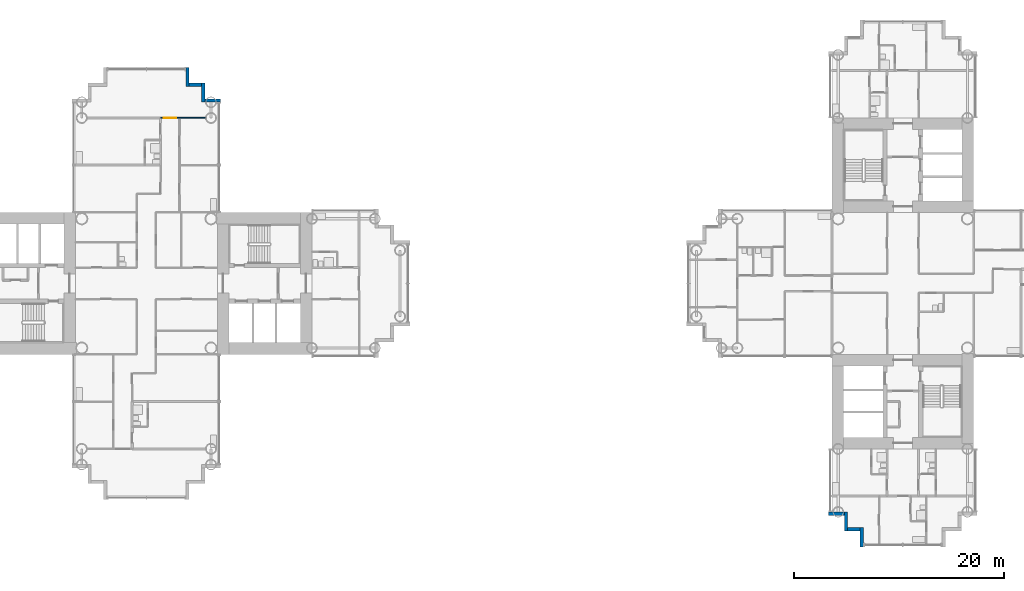
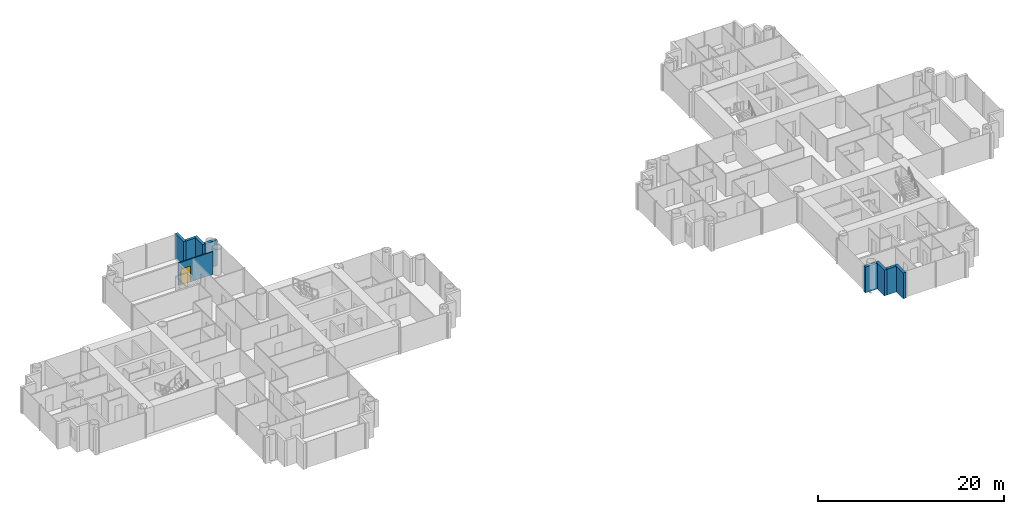
# One storey, part 12 of 22: 9 walls, 1 door, 1 opening.
"""IFC4 building model written with IfcOpenShell, lengths in metres."""

import ifcopenshell
import ifcopenshell.guid

model = None  # the IFC model being written
_history = None  # IfcOwnerHistory: only IFC2X3 demands one
_inside = {}  # id of a spatial element -> (the spatial element, [elements in it])
_under = {}  # id of a project, library or spatial element -> (it, [spatial elements below it])
_declared = {}  # id of a project -> (the project, [libraries it declares])
_typed = {}  # id of a type object -> (the type object, [elements of that type])
_made_of = {}  # id of a material, layer set ... -> (it, [elements and type objects made of it])


def new_model(schema):
    """Start an empty IFC model of exactly this schema.

    Asked for "IFC4X3", IfcOpenShell would pick the latest addendum, in which some entities
    have other attributes; the version numbers below select the first issue.
    IFC2X3 requires an IfcOwnerHistory on every rooted entity: one is made here for all.
    """
    global model, _history
    if schema == "IFC4X3":
        model = ifcopenshell.file(schema_version=(4, 3, 0, 0))
    else:
        model = ifcopenshell.file(schema=schema)
    _inside.clear()
    _under.clear()
    _declared.clear()
    _typed.clear()
    _made_of.clear()
    _history = None
    if model.schema == "IFC2X3":
        org = make("IfcOrganization", Name="unknown")
        user = make(
            "IfcPersonAndOrganization",
            ThePerson=make("IfcPerson", FamilyName="unknown"),
            TheOrganization=org,
        )
        app = make(
            "IfcApplication",
            ApplicationDeveloper=org,
            Version="unknown",
            ApplicationFullName="unknown",
            ApplicationIdentifier="unknown",
        )
        _history = make(
            "IfcOwnerHistory",
            OwningUser=user,
            OwningApplication=app,
            ChangeAction="ADDED",
            CreationDate=0,
        )
    return model


def make(cls, **values):
    """One entity of the class cls with the attributes given. An attribute that is None is left unset."""
    return model.create_entity(
        cls, **{name: value for name, value in values.items() if value is not None}
    )


def rooted(cls, **values):
    """An entity with a GlobalId (a new one), such as an element, a storey or a relation."""
    return make(cls, GlobalId=ifcopenshell.guid.new(), OwnerHistory=_history, **values)


def si_unit(unit_type, name, prefix=None):
    """IfcSIUnit, for example si_unit("LENGTHUNIT", "METRE", prefix="MILLI")."""
    return make("IfcSIUnit", UnitType=unit_type, Prefix=prefix, Name=name)


def assignment(units):
    """IfcUnitAssignment: the units of a project."""
    return None if units is None else make("IfcUnitAssignment", Units=units)


def point(xyz):
    """IfcCartesianPoint."""
    return None if xyz is None else make("IfcCartesianPoint", Coordinates=xyz)


def direction(xyz):
    """IfcDirection."""
    return None if xyz is None else make("IfcDirection", DirectionRatios=xyz)


def frame(location, z_axis=None, x_axis=None):
    """IfcAxis2Placement3D, a coordinate frame: its origin and axes. An axis left out is left unset."""
    return make(
        "IfcAxis2Placement3D",
        Location=point(location),
        Axis=direction(z_axis),
        RefDirection=direction(x_axis),
    )


def frame_2d(location, x_axis=None):
    """IfcAxis2Placement2D, a coordinate frame in the plane: its origin and x axis."""
    return make(
        "IfcAxis2Placement2D", Location=point(location), RefDirection=direction(x_axis)
    )


def origin():
    """The frame at (0, 0, 0) with its axes left unset."""
    return frame((0.0, 0.0, 0.0))


def place(relative_to, where):
    """IfcLocalPlacement: puts the frame where relative to a parent placement (None: the world)."""
    return make(
        "IfcLocalPlacement", PlacementRelTo=relative_to, RelativePlacement=where
    )


def context(
    kind, dimensions, precision=None, world=None, true_north=None, identifier=None
):
    """IfcGeometricRepresentationContext, for example the 3D "Model" context."""
    return make(
        "IfcGeometricRepresentationContext",
        ContextIdentifier=identifier,
        ContextType=kind,
        CoordinateSpaceDimension=dimensions,
        Precision=precision,
        WorldCoordinateSystem=world,
        TrueNorth=true_north,
    )


def subcontext(parent, identifier, kind, view, scale=None):
    """IfcGeometricRepresentationSubContext, for example "Body" below "Model"."""
    return make(
        "IfcGeometricRepresentationSubContext",
        ContextIdentifier=identifier,
        ContextType=kind,
        ParentContext=parent,
        TargetScale=scale,
        TargetView=view,
    )


def project(units=None, contexts=None):
    """IfcProject with its units and contexts."""
    return rooted(
        "IfcProject",
        Name="project",
        RepresentationContexts=contexts,
        UnitsInContext=assignment(units),
    )


def spatial(cls, under=None, at=None, **own):
    """A site, building, storey or space (cls), placed at a placement, below another one or the project."""
    s = rooted(cls, ObjectPlacement=at, **own)
    if under is not None:
        _under.setdefault(under.id(), (under, []))[1].append(s)
    return s


def profile(cls, at=None, kind="AREA", **sizes):
    """A parametric profile (cls). Its sizes go by their IFC names, for example OverallWidth=200.0."""
    return make(cls, ProfileType=kind, Position=at, **sizes)


def rectangle(**sizes):
    """IfcRectangleProfileDef."""
    return profile("IfcRectangleProfileDef", **sizes)


def extrude(swept, where, along, depth):
    """IfcExtrudedAreaSolid: the profile swept, set in the frame where, extruded along a direction by depth."""
    return make(
        "IfcExtrudedAreaSolid",
        SweptArea=swept,
        Position=where,
        ExtrudedDirection=direction(along),
        Depth=depth,
    )


def shape(context_of_items, identifier, shape_type, items):
    """IfcShapeRepresentation: the items that make up one representation, for example the "Body"."""
    return make(
        "IfcShapeRepresentation",
        ContextOfItems=context_of_items,
        RepresentationIdentifier=identifier,
        RepresentationType=shape_type,
        Items=items,
    )


def material(Name=None, Category=None):
    """IfcMaterial."""
    return make("IfcMaterial", Name=Name, Category=Category)


def layer(
    of_material, thickness, ventilated=None, Name=None, Category=None, Priority=None
):
    """IfcMaterialLayer: one layer of a wall or slab, of a material (None: an air gap)."""
    return make(
        "IfcMaterialLayer",
        Material=of_material,
        LayerThickness=thickness,
        IsVentilated=ventilated,
        Name=Name,
        Category=Category,
        Priority=Priority,
    )


def layer_set(layers, Name=None):
    """IfcMaterialLayerSet."""
    return make("IfcMaterialLayerSet", MaterialLayers=layers, LayerSetName=Name)


def made_of(thing, what):
    """Note that an element or type object is made of a material, layer set ...; save() writes the relation."""
    if what is not None:
        _made_of.setdefault(what.id(), (what, []))[1].append(thing)
    return thing


def type_object(cls, material=None, **own):
    """A type object (cls), such as IfcWallType, which elements share."""
    return made_of(rooted(cls, **own), material)


def element(
    cls,
    number,
    at=None,
    inside=None,
    cuts=None,
    type_object=None,
    material=None,
    context=None,
    identifier="Body",
    shape_type=None,
    held_by="IfcProductDefinitionShape",
    body=None,
    shapes=None,
    **own,
):
    """One element of the class cls, such as IfcWall. Its Tag is "e" and its number.

    at: its placement. inside: the storey or other place that contains it. cuts: it is an
    opening in that element (IfcRelVoidsElement). A single representation is given by context,
    identifier, shape_type and body (its items); several are given by shapes. held_by: the class
    of the entity that holds the representations. save() writes the other relations.
    """
    e = rooted(cls, Tag="e%d" % number, ObjectPlacement=at, **own)
    if body is not None:
        shapes = [shape(context, identifier, shape_type, body)]
    if shapes is not None:
        e.Representation = make(held_by, Representations=shapes)
    if inside is not None:
        _inside.setdefault(inside.id(), (inside, []))[1].append(e)
    if cuts is not None:
        rooted(
            "IfcRelVoidsElement", RelatingBuildingElement=cuts, RelatedOpeningElement=e
        )
    if type_object is not None:
        _typed.setdefault(type_object.id(), (type_object, []))[1].append(e)
    return made_of(e, material)


def fill(opening, filler):
    """IfcRelFillsElement: the door or window that sits in an opening."""
    return rooted(
        "IfcRelFillsElement",
        RelatingOpeningElement=opening,
        RelatedBuildingElement=filler,
    )


def aggregate(whole, parts):
    """IfcRelAggregates: a whole, such as a stair, and the parts it consists of."""
    return rooted("IfcRelAggregates", RelatingObject=whole, RelatedObjects=parts)


def save(model, path):
    """Write the relations noted so far, then the file.

    IfcRelAggregates (storeys below a building ...), IfcRelContainedInSpatialStructure (elements
    in a storey), IfcRelDefinesByType, IfcRelAssociatesMaterial and IfcRelDeclares: one each for
    every whole, place, type object, material and project.
    """
    for whole, parts in _under.values():
        aggregate(whole, parts)
    for where, things in _inside.values():
        rooted(
            "IfcRelContainedInSpatialStructure",
            RelatedElements=things,
            RelatingStructure=where,
        )
    for kind, things in _typed.values():
        rooted("IfcRelDefinesByType", RelatedObjects=things, RelatingType=kind)
    for what, things in _made_of.values():
        rooted("IfcRelAssociatesMaterial", RelatedObjects=things, RelatingMaterial=what)
    for by, libraries in _declared.values():
        rooted("IfcRelDeclares", RelatingContext=by, RelatedDefinitions=libraries)
    model.write(path)


model = new_model("IFC4")

# Units and contexts
model_context = context("Model", 3, precision=1e-05, world=origin(), true_north=direction((0.0, 1.0)))
body_context = subcontext(model_context, "Body", "Model", "MODEL_VIEW")
ifc_project = project(units=[si_unit("LENGTHUNIT", "METRE"), si_unit("AREAUNIT", "SQUARE_METRE"), si_unit("VOLUMEUNIT", "CUBIC_METRE"), si_unit("PLANEANGLEUNIT", "RADIAN"), si_unit("MASSUNIT", "GRAM", prefix="KILO")], contexts=[model_context])

# Site, building, storey
site_placement = place(None, origin())
site = spatial("IfcSite", under=ifc_project, at=site_placement, CompositionType="ELEMENT")
building_placement = place(site_placement, origin())
building = spatial("IfcBuilding", under=site, at=building_placement, Name="Ipe Terrace Towers", CompositionType="ELEMENT")
storey_placement = place(building_placement, frame((0.0, 0.0, 61.89990234375)))
storey = spatial("IfcBuildingStorey", under=building, at=storey_placement, Name="L16", CompositionType="ELEMENT", Elevation=61.89990234375)

# Walls
ifc_material_1 = material(Name="Concrete C40/50 with buff precast cladding", Category="concrete")
ifc_layer_1 = layer(ifc_material_1, 0.320068359375)
ifc_layer_set_1 = layer_set([ifc_layer_1], Name="BUFF CLADDING WALL 320")
wall_type_1 = type_object("IfcWallType", Name="BUFF CLADDING WALL 320", PredefinedType="STANDARD", material=ifc_layer_set_1)
wall_1_placement = place(storey_placement, frame((-28.929931640625, 17.409912109375, -0.2998046875), z_axis=(0.0, 0.0, 1.0), x_axis=(-1.0, 0.0, 0.0)))
element("IfcWall", 1, at=wall_1_placement, inside=storey, type_object=wall_type_1, Name="T1-W-L16-34a wall", PredefinedType="STANDARD", context=body_context, shape_type="SweptSolid", body=[
    extrude(rectangle(XDim=1.5, YDim=0.320068359375, at=frame_2d((0.75, 0.0))), origin(), (0.0, 0.0, 1.0), 3.39990234375),
])
wall_2_placement = place(storey_placement, frame((-30.590087890625, 17.25, -0.2998046875), z_axis=(0.0, 0.0, 1.0), x_axis=(0.0, 1.0, 0.0)))
element("IfcWall", 2, at=wall_2_placement, inside=storey, type_object=wall_type_1, Name="T1-W-L16-35a wall", PredefinedType="STANDARD", context=body_context, shape_type="SweptSolid", body=[
    extrude(rectangle(XDim=1.820068359375, YDim=0.320068359375, at=frame_2d((0.91015625, 0.0))), origin(), (0.0, 0.0, 1.0), 3.39990234375),
])
wall_3_placement = place(storey_placement, frame((-30.75, 18.909912109375, -0.2998046875), z_axis=(0.0, 0.0, 1.0), x_axis=(-1.0, 0.0, 0.0)))
element("IfcWall", 3, at=wall_3_placement, inside=storey, type_object=wall_type_1, Name="T1-W-L16-36a wall", PredefinedType="STANDARD", context=body_context, shape_type="SweptSolid", body=[
    extrude(rectangle(XDim=1.179931640625, YDim=0.320068359375, at=frame_2d((0.58984375, 0.0))), origin(), (0.0, 0.0, 1.0), 3.39990234375),
])
wall_4_placement = place(storey_placement, frame((-32.090087890625, 18.75, -0.2998046875), z_axis=(0.0, 0.0, 1.0), x_axis=(0.0, 1.0, 0.0)))
element("IfcWall", 4, at=wall_4_placement, inside=storey, type_object=wall_type_1, Name="T1-W-L16-37a wall", PredefinedType="STANDARD", context=body_context, shape_type="SweptSolid", body=[
    extrude(rectangle(XDim=1.820068359375, YDim=0.320068359375, at=frame_2d((0.91015625, 0.0))), origin(), (0.0, 0.0, 1.0), 3.39990234375),
])
wall_5_placement = place(storey_placement, frame((28.929931640625, -21.909912109375, -0.2998046875), z_axis=(0.0, 0.0, 1.0), x_axis=(1.0, 0.0, 0.0)))
element("IfcWall", 5, at=wall_5_placement, inside=storey, type_object=wall_type_1, Name="T2-W-L16-47a wall", PredefinedType="STANDARD", context=body_context, shape_type="SweptSolid", body=[
    extrude(rectangle(XDim=1.5, YDim=0.320068359375, at=frame_2d((0.75, 0.0))), origin(), (0.0, 0.0, 1.0), 3.39990234375),
])
wall_6_placement = place(storey_placement, frame((30.590087890625, -21.75, -0.2998046875), z_axis=(0.0, 0.0, 1.0), x_axis=(0.0, -1.0, 0.0)))
element("IfcWall", 6, at=wall_6_placement, inside=storey, type_object=wall_type_1, Name="T2-W-L16-48a wall", PredefinedType="STANDARD", context=body_context, shape_type="SweptSolid", body=[
    extrude(rectangle(XDim=1.820068359375, YDim=0.320068359375, at=frame_2d((0.91015625, 0.0))), origin(), (0.0, 0.0, 1.0), 3.39990234375),
])
wall_7_placement = place(storey_placement, frame((30.75, -23.409912109375, -0.2998046875), z_axis=(0.0, 0.0, 1.0), x_axis=(1.0, 0.0, 0.0)))
element("IfcWall", 7, at=wall_7_placement, inside=storey, type_object=wall_type_1, Name="T2-W-L16-49a wall", PredefinedType="STANDARD", context=body_context, shape_type="SweptSolid", body=[
    extrude(rectangle(XDim=1.179931640625, YDim=0.320068359375, at=frame_2d((0.58984375, 0.0))), origin(), (0.0, 0.0, 1.0), 3.39990234375),
])
wall_8_placement = place(storey_placement, frame((32.090087890625, -23.25, -0.2998046875), z_axis=(0.0, 0.0, 1.0), x_axis=(0.0, -1.0, 0.0)))
element("IfcWall", 8, at=wall_8_placement, inside=storey, type_object=wall_type_1, Name="T2-W-L16-50a wall", PredefinedType="STANDARD", context=body_context, shape_type="SweptSolid", body=[
    extrude(rectangle(XDim=1.820068359375, YDim=0.320068359375, at=frame_2d((0.91015625, 0.0))), origin(), (0.0, 0.0, 1.0), 3.39990234375),
])

# Wall, opening, door
ifc_material_2 = material(Name="Gypsum board partition", Category="plasterboard")
ifc_layer_2 = layer(ifc_material_2, 0.10009765625)
ifc_layer_set_2 = layer_set([ifc_layer_2], Name="Gypsum board partition 100 mm")
wall_type_2 = type_object("IfcWallType", Name="Gypsum board partition 100 mm", PredefinedType="PARTITIONING", material=ifc_layer_set_2)
wall_9_placement = place(storey_placement, frame((-34.64990234375, 15.75, 0.0), z_axis=(0.0, 0.0, 1.0), x_axis=(1.0, 0.0, 0.0)))
wall_9 = element("IfcWall", 9, at=wall_9_placement, inside=storey, type_object=wall_type_2, Name="Gypsum board partition T1 L16 W52", PredefinedType="PARTITIONING", context=body_context, shape_type="SweptSolid", body=[
    extrude(rectangle(XDim=4.2998046875, YDim=0.10009765625, at=frame_2d((2.14990234375, 0.0))), origin(), (0.0, 0.0, 1.0), 3.0),
])
opening_placement = place(wall_9_placement, frame((0.300048828125, 0.0, 0.0)))
opening = element("IfcOpeningElement", 10, at=opening_placement, cuts=wall_9, Name="Opening T1-Z1D-14", PredefinedType="OPENING", context=body_context, shape_type="SweptSolid", body=[
    extrude(rectangle(XDim=1.199951171875, YDim=2.10009765625, at=frame_2d((0.60009765625, 1.050048828125))), frame((0.0, 0.06005859375, 0.0), z_axis=(0.0, -1.0, 0.0), x_axis=(1.0, 0.0, 0.0)), (0.0, 0.0, 1.0), 0.1201171875),
])
ifc_material_3 = material(Name="Timber door leaf", Category="wood")
door_type = type_object("IfcDoorType", Name="Lounge door 1200 x 2100", OperationType="NOTDEFINED", PredefinedType="DOOR", material=ifc_material_3)
door_placement = place(opening_placement, origin())
door = element("IfcDoor", 11, at=door_placement, inside=storey, type_object=door_type, Name="Lounge door T1-Z1D-14", OperationType="SINGLE_SWING_RIGHT", OverallHeight=2.10009765625, OverallWidth=1.199951171875, PredefinedType="DOOR", context=body_context, shape_type="SweptSolid", body=[
    extrude(rectangle(XDim=1.199951171875, YDim=2.10009765625, at=frame_2d((0.60009765625, 1.050048828125))), frame((0.0, 0.02490234375, 0.0), z_axis=(0.0, -1.0, 0.0), x_axis=(1.0, 0.0, 0.0)), (0.0, 0.0, 1.0), 0.050048828125),
])
fill(opening, door)

save(model, "model.ifc")
